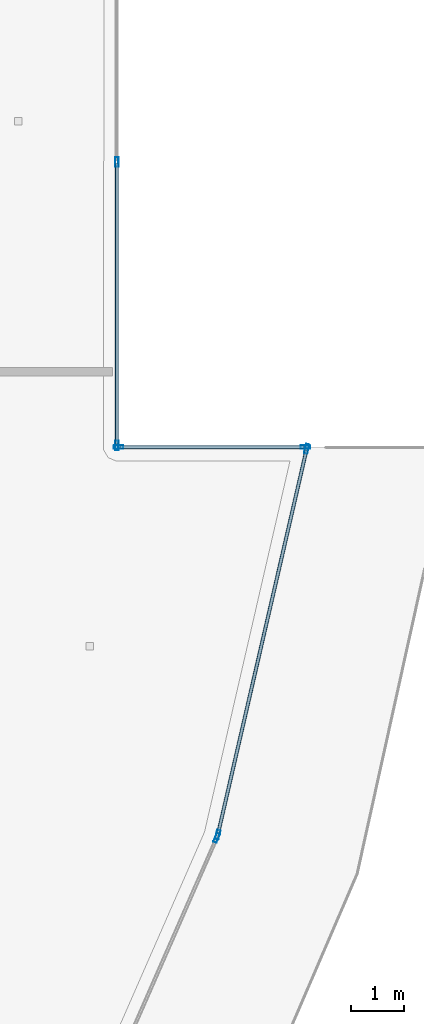
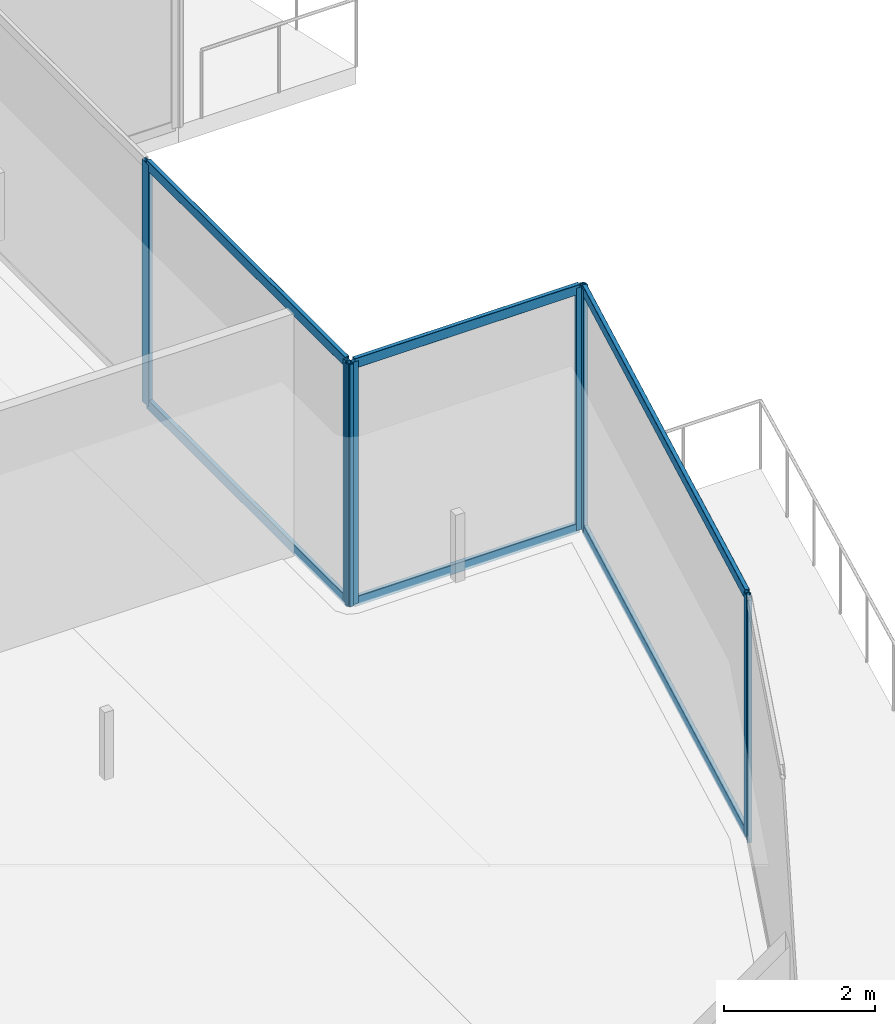
# One storey, part 24 of 44: 13 members, 4 elements without a shape of their own.
"""IFC4 building model written with IfcOpenShell, lengths in metres."""

import ifcopenshell
import ifcopenshell.guid

model = None  # the IFC model being written
_history = None  # IfcOwnerHistory: only IFC2X3 demands one
_inside = {}  # id of a spatial element -> (the spatial element, [elements in it])
_under = {}  # id of a project, library or spatial element -> (it, [spatial elements below it])
_declared = {}  # id of a project -> (the project, [libraries it declares])
_typed = {}  # id of a type object -> (the type object, [elements of that type])
_made_of = {}  # id of a material, layer set ... -> (it, [elements and type objects made of it])


def new_model(schema):
    """Start an empty IFC model of exactly this schema.

    Asked for "IFC4X3", IfcOpenShell would pick the latest addendum, in which some entities
    have other attributes; the version numbers below select the first issue.
    IFC2X3 requires an IfcOwnerHistory on every rooted entity: one is made here for all.
    """
    global model, _history
    if schema == "IFC4X3":
        model = ifcopenshell.file(schema_version=(4, 3, 0, 0))
    else:
        model = ifcopenshell.file(schema=schema)
    _inside.clear()
    _under.clear()
    _declared.clear()
    _typed.clear()
    _made_of.clear()
    _history = None
    if model.schema == "IFC2X3":
        org = make("IfcOrganization", Name="unknown")
        user = make(
            "IfcPersonAndOrganization",
            ThePerson=make("IfcPerson", FamilyName="unknown"),
            TheOrganization=org,
        )
        app = make(
            "IfcApplication",
            ApplicationDeveloper=org,
            Version="unknown",
            ApplicationFullName="unknown",
            ApplicationIdentifier="unknown",
        )
        _history = make(
            "IfcOwnerHistory",
            OwningUser=user,
            OwningApplication=app,
            ChangeAction="ADDED",
            CreationDate=0,
        )
    return model


def make(cls, **values):
    """One entity of the class cls with the attributes given. An attribute that is None is left unset."""
    return model.create_entity(
        cls, **{name: value for name, value in values.items() if value is not None}
    )


def rooted(cls, **values):
    """An entity with a GlobalId (a new one), such as an element, a storey or a relation."""
    return make(cls, GlobalId=ifcopenshell.guid.new(), OwnerHistory=_history, **values)


def si_unit(unit_type, name, prefix=None):
    """IfcSIUnit, for example si_unit("LENGTHUNIT", "METRE", prefix="MILLI")."""
    return make("IfcSIUnit", UnitType=unit_type, Prefix=prefix, Name=name)


def assignment(units):
    """IfcUnitAssignment: the units of a project."""
    return None if units is None else make("IfcUnitAssignment", Units=units)


def point(xyz):
    """IfcCartesianPoint."""
    return None if xyz is None else make("IfcCartesianPoint", Coordinates=xyz)


def direction(xyz):
    """IfcDirection."""
    return None if xyz is None else make("IfcDirection", DirectionRatios=xyz)


def frame(location, z_axis=None, x_axis=None):
    """IfcAxis2Placement3D, a coordinate frame: its origin and axes. An axis left out is left unset."""
    return make(
        "IfcAxis2Placement3D",
        Location=point(location),
        Axis=direction(z_axis),
        RefDirection=direction(x_axis),
    )


def frame_2d(location, x_axis=None):
    """IfcAxis2Placement2D, a coordinate frame in the plane: its origin and x axis."""
    return make(
        "IfcAxis2Placement2D", Location=point(location), RefDirection=direction(x_axis)
    )


def origin():
    """The frame at (0, 0, 0) with its axes left unset."""
    return frame((0.0, 0.0, 0.0))


def origin_2d():
    """The frame at (0, 0) in the plane with its x axis left unset."""
    return frame_2d((0.0, 0.0))


def place(relative_to, where):
    """IfcLocalPlacement: puts the frame where relative to a parent placement (None: the world)."""
    return make(
        "IfcLocalPlacement", PlacementRelTo=relative_to, RelativePlacement=where
    )


def context(
    kind, dimensions, precision=None, world=None, true_north=None, identifier=None
):
    """IfcGeometricRepresentationContext, for example the 3D "Model" context."""
    return make(
        "IfcGeometricRepresentationContext",
        ContextIdentifier=identifier,
        ContextType=kind,
        CoordinateSpaceDimension=dimensions,
        Precision=precision,
        WorldCoordinateSystem=world,
        TrueNorth=true_north,
    )


def subcontext(parent, identifier, kind, view, scale=None):
    """IfcGeometricRepresentationSubContext, for example "Body" below "Model"."""
    return make(
        "IfcGeometricRepresentationSubContext",
        ContextIdentifier=identifier,
        ContextType=kind,
        ParentContext=parent,
        TargetScale=scale,
        TargetView=view,
    )


def project(units=None, contexts=None):
    """IfcProject with its units and contexts."""
    return rooted(
        "IfcProject",
        Name="project",
        RepresentationContexts=contexts,
        UnitsInContext=assignment(units),
    )


def spatial(cls, under=None, at=None, **own):
    """A site, building, storey or space (cls), placed at a placement, below another one or the project."""
    s = rooted(cls, ObjectPlacement=at, **own)
    if under is not None:
        _under.setdefault(under.id(), (under, []))[1].append(s)
    return s


def profile(cls, at=None, kind="AREA", **sizes):
    """A parametric profile (cls). Its sizes go by their IFC names, for example OverallWidth=200.0."""
    return make(cls, ProfileType=kind, Position=at, **sizes)


def hollow_rectangle(**sizes):
    """IfcRectangleHollowProfileDef."""
    return profile("IfcRectangleHollowProfileDef", **sizes)


def extrude(swept, where, along, depth):
    """IfcExtrudedAreaSolid: the profile swept, set in the frame where, extruded along a direction by depth."""
    return make(
        "IfcExtrudedAreaSolid",
        SweptArea=swept,
        Position=where,
        ExtrudedDirection=direction(along),
        Depth=depth,
    )


def shape(context_of_items, identifier, shape_type, items):
    """IfcShapeRepresentation: the items that make up one representation, for example the "Body"."""
    return make(
        "IfcShapeRepresentation",
        ContextOfItems=context_of_items,
        RepresentationIdentifier=identifier,
        RepresentationType=shape_type,
        Items=items,
    )


def material(Name=None, Category=None):
    """IfcMaterial."""
    return make("IfcMaterial", Name=Name, Category=Category)


def layer(
    of_material, thickness, ventilated=None, Name=None, Category=None, Priority=None
):
    """IfcMaterialLayer: one layer of a wall or slab, of a material (None: an air gap)."""
    return make(
        "IfcMaterialLayer",
        Material=of_material,
        LayerThickness=thickness,
        IsVentilated=ventilated,
        Name=Name,
        Category=Category,
        Priority=Priority,
    )


def layer_set(layers, Name=None):
    """IfcMaterialLayerSet."""
    return make("IfcMaterialLayerSet", MaterialLayers=layers, LayerSetName=Name)


def material_profile(
    of_material, cross_section, Name=None, Category=None, Priority=None
):
    """IfcMaterialProfile: a cross section and its material."""
    return make(
        "IfcMaterialProfile",
        Name=Name,
        Material=of_material,
        Profile=cross_section,
        Priority=Priority,
        Category=Category,
    )


def profile_set(profiles, Name=None, composite=None):
    """IfcMaterialProfileSet."""
    return make(
        "IfcMaterialProfileSet",
        Name=Name,
        MaterialProfiles=profiles,
        CompositeProfile=composite,
    )


def made_of(thing, what):
    """Note that an element or type object is made of a material, layer set ...; save() writes the relation."""
    if what is not None:
        _made_of.setdefault(what.id(), (what, []))[1].append(thing)
    return thing


def type_object(cls, material=None, **own):
    """A type object (cls), such as IfcWallType, which elements share."""
    return made_of(rooted(cls, **own), material)


def element(
    cls,
    number,
    at=None,
    inside=None,
    cuts=None,
    type_object=None,
    material=None,
    context=None,
    identifier="Body",
    shape_type=None,
    held_by="IfcProductDefinitionShape",
    body=None,
    shapes=None,
    **own,
):
    """One element of the class cls, such as IfcWall. Its Tag is "e" and its number.

    at: its placement. inside: the storey or other place that contains it. cuts: it is an
    opening in that element (IfcRelVoidsElement). A single representation is given by context,
    identifier, shape_type and body (its items); several are given by shapes. held_by: the class
    of the entity that holds the representations. save() writes the other relations.
    """
    e = rooted(cls, Tag="e%d" % number, ObjectPlacement=at, **own)
    if body is not None:
        shapes = [shape(context, identifier, shape_type, body)]
    if shapes is not None:
        e.Representation = make(held_by, Representations=shapes)
    if inside is not None:
        _inside.setdefault(inside.id(), (inside, []))[1].append(e)
    if cuts is not None:
        rooted(
            "IfcRelVoidsElement", RelatingBuildingElement=cuts, RelatedOpeningElement=e
        )
    if type_object is not None:
        _typed.setdefault(type_object.id(), (type_object, []))[1].append(e)
    return made_of(e, material)


def aggregate(whole, parts):
    """IfcRelAggregates: a whole, such as a stair, and the parts it consists of."""
    return rooted("IfcRelAggregates", RelatingObject=whole, RelatedObjects=parts)


def save(model, path):
    """Write the relations noted so far, then the file.

    IfcRelAggregates (storeys below a building ...), IfcRelContainedInSpatialStructure (elements
    in a storey), IfcRelDefinesByType, IfcRelAssociatesMaterial and IfcRelDeclares: one each for
    every whole, place, type object, material and project.
    """
    for whole, parts in _under.values():
        aggregate(whole, parts)
    for where, things in _inside.values():
        rooted(
            "IfcRelContainedInSpatialStructure",
            RelatedElements=things,
            RelatingStructure=where,
        )
    for kind, things in _typed.values():
        rooted("IfcRelDefinesByType", RelatedObjects=things, RelatingType=kind)
    for what, things in _made_of.values():
        rooted("IfcRelAssociatesMaterial", RelatedObjects=things, RelatingMaterial=what)
    for by, libraries in _declared.values():
        rooted("IfcRelDeclares", RelatingContext=by, RelatedDefinitions=libraries)
    model.write(path)


model = new_model("IFC4")

# Units and contexts
model_context = context("Model", 3, precision=1e-05, world=origin(), true_north=direction((0.0, 1.0)))
body_context = subcontext(model_context, "Body", "Model", "MODEL_VIEW")
ifc_project = project(units=[si_unit("LENGTHUNIT", "METRE"), si_unit("AREAUNIT", "SQUARE_METRE"), si_unit("VOLUMEUNIT", "CUBIC_METRE"), si_unit("PLANEANGLEUNIT", "RADIAN"), si_unit("MASSUNIT", "GRAM", prefix="KILO")], contexts=[model_context])

# Site, building, storey
site_placement = place(None, origin())
site = spatial("IfcSite", under=ifc_project, at=site_placement, CompositionType="ELEMENT")
building_placement = place(site_placement, origin())
building = spatial("IfcBuilding", under=site, at=building_placement, Name="Qorvath Tower", CompositionType="ELEMENT")
storey_placement = place(building_placement, frame((0.0, 0.0, 53.39990234375)))
storey = spatial("IfcBuildingStorey", under=building, at=storey_placement, Name="L11", CompositionType="ELEMENT", Elevation=53.39990234375)

# Curtain wall, member
ifc_material_1 = material(Name="Anodised aluminium and triple low-E glass", Category="aluminium")
ifc_layer = layer(ifc_material_1, 0.179931640625)
ifc_layer_set = layer_set([ifc_layer], Name="CW-SYS-2")
curtain_wall_type = type_object("IfcCurtainWallType", Name="CW-SYS-2", PredefinedType="NOTDEFINED", material=ifc_layer_set)
curtain_wall_1_placement = place(storey_placement, origin())
curtain_wall_1 = element("IfcCurtainWall", 1, at=curtain_wall_1_placement, inside=storey, type_object=curtain_wall_type, Name="Curtain Wall CW-2 CW-T-L11-6.1", PredefinedType="NOTDEFINED")
ifc_material_2 = material(Name="Anodised aluminium 6063-T6", Category="aluminium")
ifc_material_profile_1 = material_profile(ifc_material_2, hollow_rectangle(XDim=0.06494140625, YDim=0.179931640625, WallThickness=0.00341796875, InnerFilletRadius=0.00341796875, OuterFilletRadius=0.007080078125, at=origin_2d()), Name="CWM 180x65")
ifc_profile_set_1 = profile_set([ifc_material_profile_1], Name="Anodised aluminium 6063-T6")
member_type_1 = type_object("IfcMemberType", Name="CWM-180", PredefinedType="MULLION", material=ifc_profile_set_1)
member_1_placement = place(storey_placement, frame((5.617919921875, -12.69189453125, 0.0), z_axis=(0.0, 0.0, 1.0), x_axis=(-0.916000523281, 0.401177069819, 0.0)))
member_1 = element("IfcMember", 2, at=member_1_placement, type_object=member_type_1, Name="CW-2 mullion 2", PredefinedType="MULLION", context=body_context, shape_type="SweptSolid", body=[
    extrude(hollow_rectangle(XDim=0.06494140625, YDim=0.179931640625, WallThickness=0.00341796875, InnerFilletRadius=0.00341796875, OuterFilletRadius=0.007080078125, at=origin_2d()), origin(), (0.0, 0.0, 1.0), 3.920166015625),
])
aggregate(curtain_wall_1, [member_1])

# Curtain wall, members
curtain_wall_2_placement = place(storey_placement, origin())
curtain_wall_2 = element("IfcCurtainWall", 3, at=curtain_wall_2_placement, inside=storey, type_object=curtain_wall_type, Name="Curtain Wall CW-2 CW-T-L11-7.1", PredefinedType="NOTDEFINED")
member_2_placement = place(storey_placement, frame((5.63818359375, -12.63037109375, 0.0), z_axis=(0.0, 0.0, 1.0), x_axis=(-0.974466004857, 0.224535087188, 0.0)))
member_2 = element("IfcMember", 4, at=member_2_placement, type_object=member_type_1, Name="CW-2 mullion 1", PredefinedType="MULLION", context=body_context, shape_type="SweptSolid", body=[
    extrude(hollow_rectangle(XDim=0.06494140625, YDim=0.179931640625, WallThickness=0.00341796875, InnerFilletRadius=0.00341796875, OuterFilletRadius=0.007080078125, at=origin_2d()), origin(), (0.0, 0.0, 1.0), 3.920166015625),
])
member_3_placement = place(storey_placement, frame((7.306884765625, -5.388427734375, 0.0), z_axis=(0.0, 0.0, 1.0), x_axis=(-0.974466004857, 0.224535087188, 0.0)))
member_3 = element("IfcMember", 5, at=member_3_placement, type_object=member_type_1, Name="CW-2 mullion 2", PredefinedType="MULLION", context=body_context, shape_type="SweptSolid", body=[
    extrude(hollow_rectangle(XDim=0.06494140625, YDim=0.179931640625, WallThickness=0.00341796875, InnerFilletRadius=0.00341796875, OuterFilletRadius=0.007080078125, at=origin_2d()), origin(), (0.0, 0.0, 1.0), 3.920166015625),
])

curtain_wall_3_placement = place(storey_placement, origin())
curtain_wall_3 = element("IfcCurtainWall", 6, at=curtain_wall_3_placement, inside=storey, type_object=curtain_wall_type, Name="Curtain Wall CW-2 CW-T-L11-8.1", PredefinedType="NOTDEFINED")
member_4_placement = place(storey_placement, frame((7.28173828125, -5.356689453125, 0.0), z_axis=(0.0, 0.0, 1.0), x_axis=(0.0, -1.0, 0.0)))
member_4 = element("IfcMember", 7, at=member_4_placement, type_object=member_type_1, Name="CW-2 mullion 1", PredefinedType="MULLION", context=body_context, shape_type="SweptSolid", body=[
    extrude(hollow_rectangle(XDim=0.06494140625, YDim=0.179931640625, WallThickness=0.00341796875, InnerFilletRadius=0.00341796875, OuterFilletRadius=0.007080078125, at=origin_2d()), origin(), (0.0, 0.0, 1.0), 3.920166015625),
])
member_5_placement = place(storey_placement, frame((3.775390625, -5.356689453125, 0.0), z_axis=(0.0, 0.0, 1.0), x_axis=(0.0, -1.0, 0.0)))
member_5 = element("IfcMember", 8, at=member_5_placement, type_object=member_type_1, Name="CW-2 mullion 2", PredefinedType="MULLION", context=body_context, shape_type="SweptSolid", body=[
    extrude(hollow_rectangle(XDim=0.06494140625, YDim=0.179931640625, WallThickness=0.00341796875, InnerFilletRadius=0.00341796875, OuterFilletRadius=0.007080078125, at=origin_2d()), origin(), (0.0, 0.0, 1.0), 3.920166015625),
])

curtain_wall_4_placement = place(storey_placement, origin())
curtain_wall_4 = element("IfcCurtainWall", 9, at=curtain_wall_4_placement, inside=storey, type_object=curtain_wall_type, Name="Curtain Wall CW-2 CW-T-L11-9.1", PredefinedType="NOTDEFINED")
member_6_placement = place(storey_placement, frame((3.742919921875, -5.32421875, 0.0), z_axis=(0.0, 0.0, 1.0), x_axis=(-1.0, 0.0, 0.0)))
member_6 = element("IfcMember", 10, at=member_6_placement, type_object=member_type_1, Name="CW-2 mullion 1", PredefinedType="MULLION", context=body_context, shape_type="SweptSolid", body=[
    extrude(hollow_rectangle(XDim=0.06494140625, YDim=0.179931640625, WallThickness=0.00341796875, InnerFilletRadius=0.00341796875, OuterFilletRadius=0.007080078125, at=origin_2d()), origin(), (0.0, 0.0, 1.0), 3.920166015625),
])
member_7_placement = place(storey_placement, frame((3.742919921875, 0.0, 0.0), z_axis=(0.0, 0.0, 1.0), x_axis=(-1.0, 0.0, 0.0)))
member_7 = element("IfcMember", 11, at=member_7_placement, type_object=member_type_1, Name="CW-2 mullion 2", PredefinedType="MULLION", context=body_context, shape_type="SweptSolid", body=[
    extrude(hollow_rectangle(XDim=0.06494140625, YDim=0.179931640625, WallThickness=0.00341796875, InnerFilletRadius=0.00341796875, OuterFilletRadius=0.007080078125, at=origin_2d()), origin(), (0.0, 0.0, 1.0), 3.920166015625),
])

# Member
ifc_material_3 = material(Name="Anodised aluminium 6063-T6", Category="aluminium")
ifc_material_profile_2 = material_profile(ifc_material_3, hollow_rectangle(XDim=0.06494140625, YDim=0.159912109375, WallThickness=0.00341796875, InnerFilletRadius=0.00341796875, OuterFilletRadius=0.007080078125, at=origin_2d()), Name="CWT 160x65")
ifc_profile_set_2 = profile_set([ifc_material_profile_2], Name="Anodised aluminium 6063-T6")
member_type_2 = type_object("IfcMemberType", Name="CWT-160", PredefinedType="USERDEFINED", material=ifc_profile_set_2)
member_8_placement = place(storey_placement, frame((5.6455078125, -12.598876953125, 0.032470703125), z_axis=(0.224520650213, 0.974469331292, 0.0), x_axis=(-0.974469331292, 0.224520650213, 0.0)))
member_8 = element("IfcMember", 12, at=member_8_placement, type_object=member_type_2, Name="CW-2 transom 1.1", ObjectType="TRANSOM", PredefinedType="USERDEFINED", context=body_context, shape_type="SweptSolid", body=[
    extrude(hollow_rectangle(XDim=0.06494140625, YDim=0.159912109375, WallThickness=0.00341796875, InnerFilletRadius=0.00341796875, OuterFilletRadius=0.007080078125, at=origin_2d()), origin(), (0.0, 0.0, 1.0), 7.366943359375),
])

member_9_placement = place(storey_placement, frame((5.6455078125, -12.598876953125, 3.8876953125), z_axis=(0.224520650213, 0.974469331292, 0.0), x_axis=(-0.974469331292, 0.224520650213, 0.0)))
member_9 = element("IfcMember", 13, at=member_9_placement, type_object=member_type_2, Name="CW-2 transom 1.2", ObjectType="TRANSOM", PredefinedType="USERDEFINED", context=body_context, shape_type="SweptSolid", body=[
    extrude(hollow_rectangle(XDim=0.06494140625, YDim=0.159912109375, WallThickness=0.00341796875, InnerFilletRadius=0.00341796875, OuterFilletRadius=0.007080078125, at=origin_2d()), origin(), (0.0, 0.0, 1.0), 7.366943359375),
])

aggregate(curtain_wall_2, [member_2, member_3, member_8, member_9])

member_10_placement = place(storey_placement, frame((7.249267578125, -5.356689453125, 0.032470703125), z_axis=(-1.0, 0.0, 0.0), x_axis=(0.0, -1.0, 0.0)))
member_10 = element("IfcMember", 14, at=member_10_placement, type_object=member_type_2, Name="CW-2 transom 1.1", ObjectType="TRANSOM", PredefinedType="USERDEFINED", context=body_context, shape_type="SweptSolid", body=[
    extrude(hollow_rectangle(XDim=0.06494140625, YDim=0.159912109375, WallThickness=0.00341796875, InnerFilletRadius=0.00341796875, OuterFilletRadius=0.007080078125, at=origin_2d()), origin(), (0.0, 0.0, 1.0), 3.44140625),
])

member_11_placement = place(storey_placement, frame((7.249267578125, -5.356689453125, 3.8876953125), z_axis=(-1.0, 0.0, 0.0), x_axis=(0.0, -1.0, 0.0)))
member_11 = element("IfcMember", 15, at=member_11_placement, type_object=member_type_2, Name="CW-2 transom 1.2", ObjectType="TRANSOM", PredefinedType="USERDEFINED", context=body_context, shape_type="SweptSolid", body=[
    extrude(hollow_rectangle(XDim=0.06494140625, YDim=0.159912109375, WallThickness=0.00341796875, InnerFilletRadius=0.00341796875, OuterFilletRadius=0.007080078125, at=origin_2d()), origin(), (0.0, 0.0, 1.0), 3.44140625),
])

aggregate(curtain_wall_3, [member_4, member_5, member_10, member_11])

member_12_placement = place(storey_placement, frame((3.742919921875, -5.291748046875, 0.032470703125), z_axis=(0.0, 1.0, 0.0), x_axis=(-1.0, 0.0, 0.0)))
member_12 = element("IfcMember", 16, at=member_12_placement, type_object=member_type_2, Name="CW-2 transom 1.1", ObjectType="TRANSOM", PredefinedType="USERDEFINED", context=body_context, shape_type="SweptSolid", body=[
    extrude(hollow_rectangle(XDim=0.06494140625, YDim=0.159912109375, WallThickness=0.00341796875, InnerFilletRadius=0.00341796875, OuterFilletRadius=0.007080078125, at=origin_2d()), origin(), (0.0, 0.0, 1.0), 5.25927734375),
])

member_13_placement = place(storey_placement, frame((3.742919921875, -5.291748046875, 3.8876953125), z_axis=(0.0, 1.0, 0.0), x_axis=(-1.0, 0.0, 0.0)))
member_13 = element("IfcMember", 17, at=member_13_placement, type_object=member_type_2, Name="CW-2 transom 1.2", ObjectType="TRANSOM", PredefinedType="USERDEFINED", context=body_context, shape_type="SweptSolid", body=[
    extrude(hollow_rectangle(XDim=0.06494140625, YDim=0.159912109375, WallThickness=0.00341796875, InnerFilletRadius=0.00341796875, OuterFilletRadius=0.007080078125, at=origin_2d()), origin(), (0.0, 0.0, 1.0), 5.25927734375),
])

aggregate(curtain_wall_4, [member_6, member_7, member_12, member_13])

save(model, "model.ifc")
